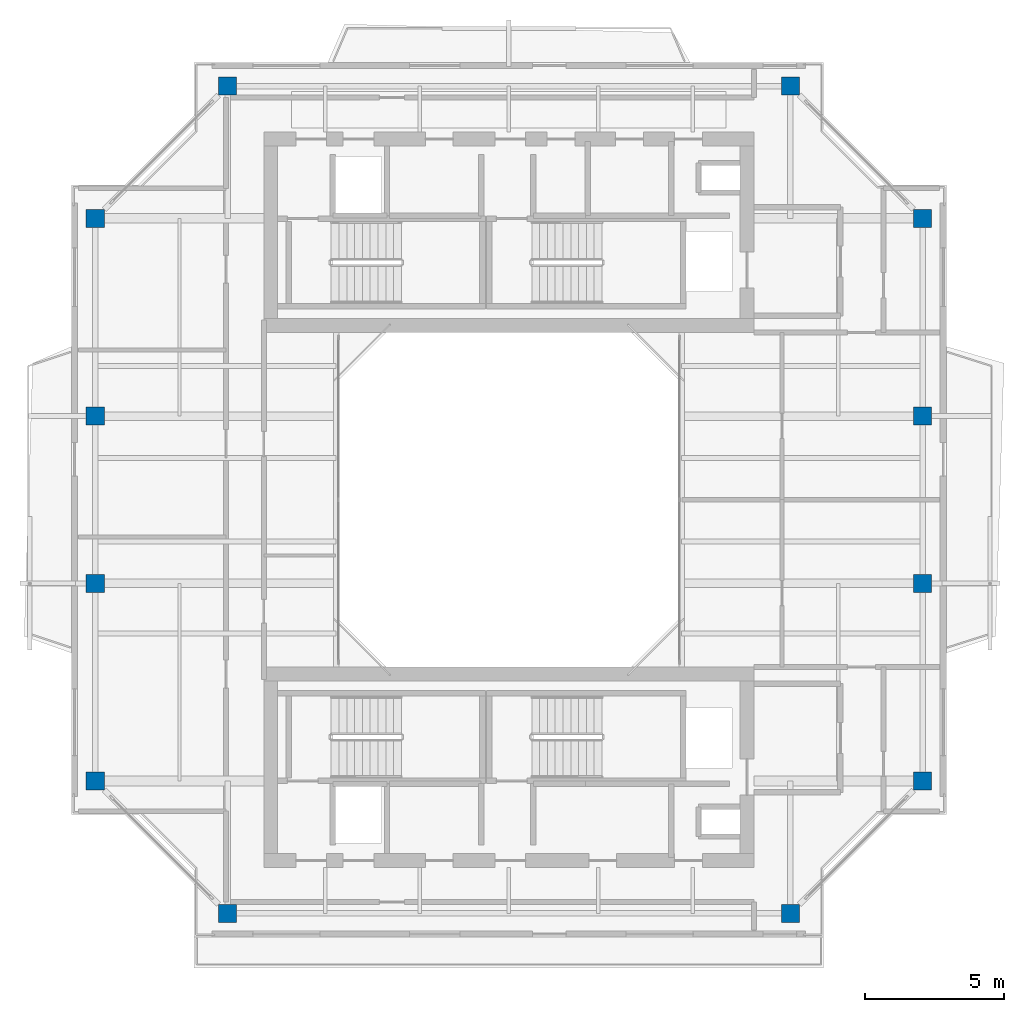
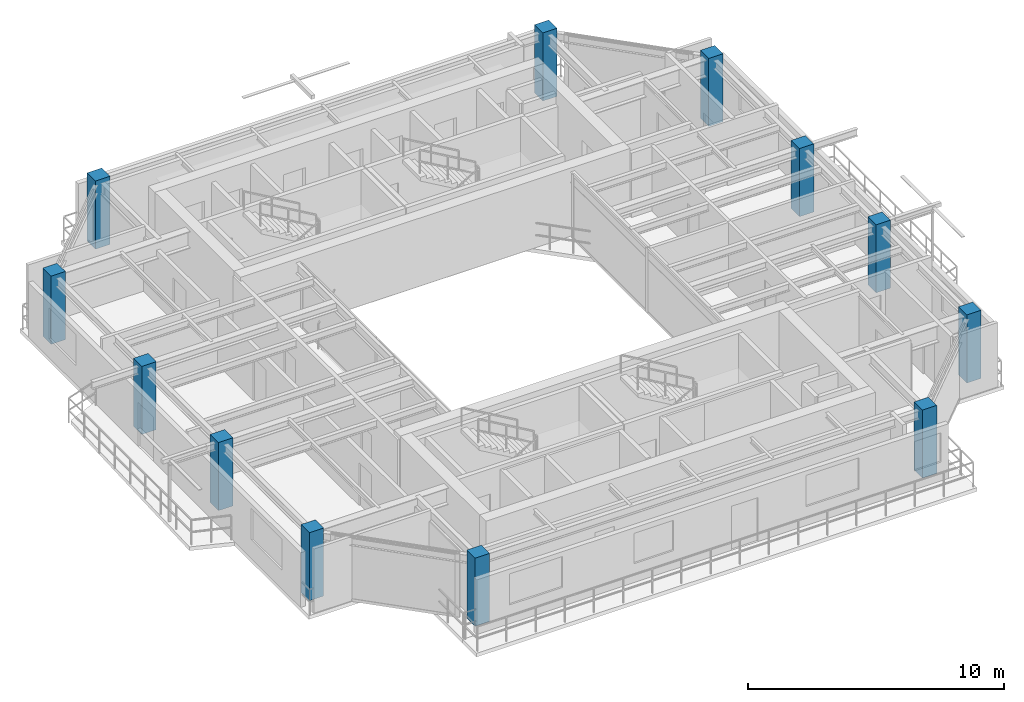
# One storey, part 1 of 15: 12 columns.
"""IFC4 building model written with IfcOpenShell, lengths in metres."""

from ifc_helpers import new_model, si_unit, direction, frame, origin, origin_2d, place, context, subcontext, project, spatial, rectangle, extrude, source, transform, mapped, material, material_profile, profile_set, type_object, element, save


model = new_model("IFC4")

# Units and contexts
model_context = context("Model", 3, precision=1e-05, world=origin(), true_north=direction((0.0, 1.0)))
body_context = subcontext(model_context, "Body", "Model", "MODEL_VIEW")
ifc_project = project(units=[si_unit("LENGTHUNIT", "METRE"), si_unit("AREAUNIT", "SQUARE_METRE"), si_unit("VOLUMEUNIT", "CUBIC_METRE"), si_unit("PLANEANGLEUNIT", "RADIAN"), si_unit("MASSUNIT", "GRAM", prefix="KILO"), si_unit("THERMODYNAMICTEMPERATUREUNIT", "KELVIN"), si_unit("POWERUNIT", "WATT")], contexts=[model_context])

# Site, building, storey
site_placement = place(None, origin())
site = spatial("IfcSite", under=ifc_project, at=site_placement, CompositionType="ELEMENT")
building_placement = place(site_placement, origin())
building = spatial("IfcBuilding", under=site, at=building_placement, Name="Qiaomeng Ring Towers", CompositionType="ELEMENT")
storey_placement = place(building_placement, frame((0.0, 0.0, 237.25)))
storey = spatial("IfcBuildingStorey", under=building, at=storey_placement, Name="L69", CompositionType="ELEMENT", Elevation=237.25)

# Columns
ifc_material = material(Name="Concrete C40", Category="concrete")
ifc_material_profile = material_profile(ifc_material, rectangle(XDim=0.64990234375, YDim=0.64990234375, at=origin_2d()), Name="RC COL 650x650")
ifc_profile_set = profile_set([ifc_material_profile], Name="Concrete C40")
column_type = type_object("IfcColumnType", Name="STR-COL-650-C40", PredefinedType="COLUMN", material=ifc_profile_set)
shared_shape = source(origin(), body_context, "Body", "SweptSolid", [
    extrude(rectangle(XDim=0.64990234375, YDim=0.64990234375, at=origin_2d()), origin(), (0.0, 0.0, 1.0), 3.25),
])
for number, where, z_axis, x_axis, name in (
    (1, (8.89990234375, 8.14990234375, 0.0), (0.0, 0.0, 1.0), (1.0, 0.0, 0.0), "L69 column STR-COL-L69-T1-S1"),
    (2, (29.10009765625, 8.14990234375, 0.0), (0.0, 0.0, 1.0), (1.0, 0.0, 0.0), "L69 column STR-COL-L69-T1-S2"),
    (3, (33.85009765625, 12.89990234375, 0.0), (0.0, 0.0, 1.0), (1.0, 0.0, 0.0), "L69 column STR-COL-L69-T1-E1"),
    (4, (33.85009765625, 20.0, 0.0), (0.0, 0.0, 1.0), (1.0, 0.0, 0.0), "L69 column STR-COL-L69-T1-E2"),
    (5, (33.85009765625, 26.0, 0.0), (0.0, 0.0, 1.0), (1.0, 0.0, 0.0), "L69 column STR-COL-L69-T1-E3"),
    (6, (33.85009765625, 33.10009765625, 0.0), (0.0, 0.0, 1.0), (1.0, 0.0, 0.0), "L69 column STR-COL-L69-T1-E4"),
    (7, (29.10009765625, 37.85009765625, 0.0), (0.0, 0.0, 1.0), (1.0, 0.0, 0.0), "L69 column STR-COL-L69-T1-N2"),
    (8, (8.89990234375, 37.85009765625, 0.0), (0.0, 0.0, 1.0), (1.0, 0.0, 0.0), "L69 column STR-COL-L69-T1-N1"),
    (9, (4.14990234375, 33.10009765625, 0.0), (0.0, 0.0, 1.0), (1.0, 0.0, 0.0), "L69 column STR-COL-L69-T1-W4"),
    (10, (4.14990234375, 26.0, 0.0), (0.0, 0.0, 1.0), (1.0, 0.0, 0.0), "L69 column STR-COL-L69-T1-W3"),
    (11, (4.14990234375, 20.0, 0.0), (0.0, 0.0, 1.0), (1.0, 0.0, 0.0), "L69 column STR-COL-L69-T1-W2"),
    (12, (4.14990234375, 12.89990234375, 0.0), (0.0, 0.0, 1.0), (1.0, 0.0, 0.0), "L69 column STR-COL-L69-T1-W1"),
):
    element("IfcColumn", number, at=place(storey_placement, frame(where, z_axis=z_axis, x_axis=x_axis)), inside=storey, type_object=column_type, Name=name, PredefinedType="COLUMN", context=body_context, shape_type="MappedRepresentation", body=[
        mapped(shared_shape, transform((0.0, 0.0, 0.0), x_axis=(1.0, 0.0, 0.0), y_axis=(0.0, 1.0, 0.0), z_axis=(0.0, 0.0, 1.0), scale=1.0)),
    ])

save(model, "model.ifc")
